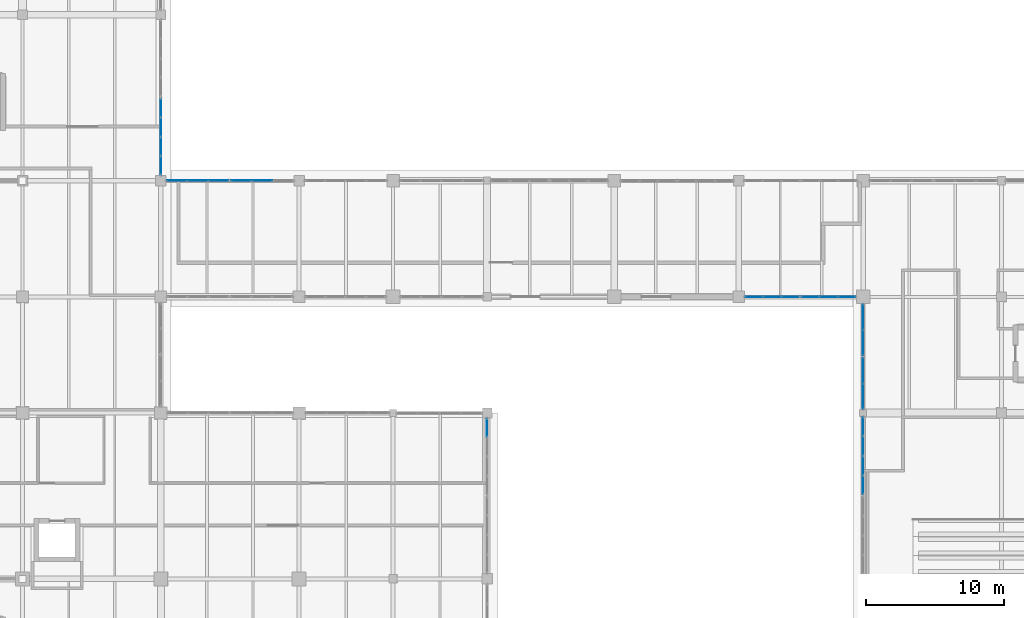
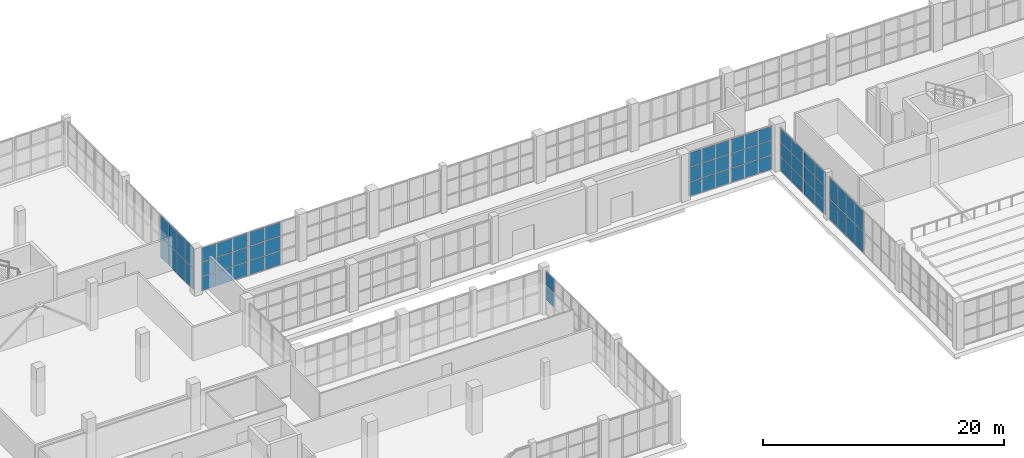
# One storey, part 88 of 121: 63 plates, 9 elements without a shape of their own.
"""IFC4 building model written with IfcOpenShell, lengths in metres."""

from ifc_helpers import new_model, si_unit, direction, frame, origin, origin_2d, place, context, subcontext, project, spatial, rectangle, extrude, material, layer, layer_set, type_object, element, aggregate, save


model = new_model("IFC4")

# Units and contexts
model_context = context("Model", 3, precision=1e-05, world=origin(), true_north=direction((0.0, 1.0)))
body_context = subcontext(model_context, "Body", "Model", "MODEL_VIEW")
ifc_project = project(units=[si_unit("LENGTHUNIT", "METRE"), si_unit("AREAUNIT", "SQUARE_METRE"), si_unit("VOLUMEUNIT", "CUBIC_METRE"), si_unit("PLANEANGLEUNIT", "RADIAN"), si_unit("MASSUNIT", "GRAM", prefix="KILO")], contexts=[model_context])

# Site, building, storey
site_placement = place(None, origin())
site = spatial("IfcSite", under=ifc_project, at=site_placement, CompositionType="ELEMENT")
building_placement = place(site_placement, origin())
building = spatial("IfcBuilding", under=site, at=building_placement, Name="Zereglee Splitstone Museum", CompositionType="ELEMENT")
storey_placement = place(building_placement, origin())
storey = spatial("IfcBuildingStorey", under=building, at=storey_placement, Name="L00", CompositionType="ELEMENT", Elevation=0.0)

# Curtain wall, plates
ifc_material_1 = material(Name="Triple-glazed low-E argon glass and bronze-anodised aluminium", Category="aluminium")
ifc_layer_1 = layer(ifc_material_1, 0.179931640625)
ifc_layer_set_1 = layer_set([ifc_layer_1], Name="Triple-glazed low-E argon glass and bronze-anodised aluminium")
curtain_wall_type_1 = type_object("IfcCurtainWallType", Name="CW-0559-442", PredefinedType="USERDEFINED", material=ifc_layer_set_1)
curtain_wall_1_placement = place(storey_placement, origin())
curtain_wall_1 = element("IfcCurtainWall", 1, at=curtain_wall_1_placement, inside=storey, type_object=curtain_wall_type_1, Name="Glazed Curtain Wall CW-0559-442 (L00)", ObjectType="GLAZED CURTAIN WALL", PredefinedType="USERDEFINED")
ifc_material_2 = material(Name="Triple low-e argon insulated safety glass", Category="glass")
ifc_layer_2 = layer(ifc_material_2, 0.035888671875)
ifc_layer_set_2 = layer_set([ifc_layer_2], Name="Triple low-e argon insulated safety glass")
plate_type = type_object("IfcPlateType", Name="CWP-01", PredefinedType="CURTAIN_PANEL", material=ifc_layer_set_2)
plate_1_placement = place(storey_placement, frame((228.800048828125, 20.527099609375, 1.505859375), z_axis=(0.0, 0.0, 1.0), x_axis=(0.0, 1.0, 0.0)))
plate_1 = element("IfcPlate", 2, at=plate_1_placement, type_object=plate_type, Name="CW-0559-442 panel 4.2", PredefinedType="CURTAIN_PANEL", context=body_context, shape_type="SweptSolid", body=[
    extrude(rectangle(XDim=1.2998046875, YDim=0.035888671875, at=origin_2d()), origin(), (0.0, 0.0, 1.0), 1.408447265625),
])
plate_2_placement = place(storey_placement, frame((228.800048828125, 20.527099609375, 2.97900390625), z_axis=(0.0, 0.0, 1.0), x_axis=(0.0, 1.0, 0.0)))
plate_2 = element("IfcPlate", 3, at=plate_2_placement, type_object=plate_type, Name="CW-0559-442 panel 4.3", PredefinedType="CURTAIN_PANEL", context=body_context, shape_type="SweptSolid", body=[
    extrude(rectangle(XDim=1.2998046875, YDim=0.035888671875, at=origin_2d()), origin(), (0.0, 0.0, 1.0), 1.375732421875),
])
aggregate(curtain_wall_1, [plate_1, plate_2])

ifc_layer_3 = layer(ifc_material_1, 0.179931640625)
ifc_layer_set_3 = layer_set([ifc_layer_3], Name="Triple-glazed low-E argon glass and bronze-anodised aluminium")
curtain_wall_type_2 = type_object("IfcCurtainWallType", Name="CW-0399-450", PredefinedType="USERDEFINED", material=ifc_layer_set_3)
curtain_wall_2_placement = place(storey_placement, origin())
curtain_wall_2 = element("IfcCurtainWall", 4, at=curtain_wall_2_placement, inside=storey, type_object=curtain_wall_type_2, Name="Glazed Curtain Wall CW-0399-450 (L00)", ObjectType="GLAZED CURTAIN WALL", PredefinedType="USERDEFINED")
plate_3_placement = place(storey_placement, frame((248.1142578125, 30.0, 0.06494140625), z_axis=(0.0, 0.0, 1.0), x_axis=(1.0, 0.0, 0.0)))
plate_3 = element("IfcPlate", 5, at=plate_3_placement, type_object=plate_type, Name="CW-0399-450 panel 1.1", PredefinedType="CURTAIN_PANEL", context=body_context, shape_type="SweptSolid", body=[
    extrude(rectangle(XDim=1.232421875, YDim=0.035888671875, at=origin_2d()), origin(), (0.0, 0.0, 1.0), 1.402587890625),
])
plate_4_placement = place(storey_placement, frame((248.1142578125, 30.0, 1.532470703125), z_axis=(0.0, 0.0, 1.0), x_axis=(1.0, 0.0, 0.0)))
plate_4 = element("IfcPlate", 6, at=plate_4_placement, type_object=plate_type, Name="CW-0399-450 panel 1.2", PredefinedType="CURTAIN_PANEL", context=body_context, shape_type="SweptSolid", body=[
    extrude(rectangle(XDim=1.232421875, YDim=0.035888671875, at=origin_2d()), origin(), (0.0, 0.0, 1.0), 1.43505859375),
])
plate_5_placement = place(storey_placement, frame((248.1142578125, 30.0, 3.0322265625), z_axis=(0.0, 0.0, 1.0), x_axis=(1.0, 0.0, 0.0)))
plate_5 = element("IfcPlate", 7, at=plate_5_placement, type_object=plate_type, Name="CW-0399-450 panel 1.3", PredefinedType="CURTAIN_PANEL", context=body_context, shape_type="SweptSolid", body=[
    extrude(rectangle(XDim=1.232421875, YDim=0.035888671875, at=origin_2d()), origin(), (0.0, 0.0, 1.0), 1.402587890625),
])
plate_6_placement = place(storey_placement, frame((249.427734375, 30.0, 0.06494140625), z_axis=(0.0, 0.0, 1.0), x_axis=(1.0, 0.0, 0.0)))
plate_6 = element("IfcPlate", 8, at=plate_6_placement, type_object=plate_type, Name="CW-0399-450 panel 2.1", PredefinedType="CURTAIN_PANEL", context=body_context, shape_type="SweptSolid", body=[
    extrude(rectangle(XDim=1.264892578125, YDim=0.035888671875, at=origin_2d()), origin(), (0.0, 0.0, 1.0), 1.402587890625),
])
plate_7_placement = place(storey_placement, frame((249.427734375, 30.0, 1.532470703125), z_axis=(0.0, 0.0, 1.0), x_axis=(1.0, 0.0, 0.0)))
plate_7 = element("IfcPlate", 9, at=plate_7_placement, type_object=plate_type, Name="CW-0399-450 panel 2.2", PredefinedType="CURTAIN_PANEL", context=body_context, shape_type="SweptSolid", body=[
    extrude(rectangle(XDim=1.264892578125, YDim=0.035888671875, at=origin_2d()), origin(), (0.0, 0.0, 1.0), 1.43505859375),
])
plate_8_placement = place(storey_placement, frame((249.427734375, 30.0, 3.0322265625), z_axis=(0.0, 0.0, 1.0), x_axis=(1.0, 0.0, 0.0)))
plate_8 = element("IfcPlate", 10, at=plate_8_placement, type_object=plate_type, Name="CW-0399-450 panel 2.3", PredefinedType="CURTAIN_PANEL", context=body_context, shape_type="SweptSolid", body=[
    extrude(rectangle(XDim=1.264892578125, YDim=0.035888671875, at=origin_2d()), origin(), (0.0, 0.0, 1.0), 1.402587890625),
])
plate_9_placement = place(storey_placement, frame((250.741455078125, 30.0, 0.06494140625), z_axis=(0.0, 0.0, 1.0), x_axis=(1.0, 0.0, 0.0)))
plate_9 = element("IfcPlate", 11, at=plate_9_placement, type_object=plate_type, Name="CW-0399-450 panel 3.1", PredefinedType="CURTAIN_PANEL", context=body_context, shape_type="SweptSolid", body=[
    extrude(rectangle(XDim=1.232421875, YDim=0.035888671875, at=origin_2d()), origin(), (0.0, 0.0, 1.0), 1.402587890625),
])
plate_10_placement = place(storey_placement, frame((250.741455078125, 30.0, 1.532470703125), z_axis=(0.0, 0.0, 1.0), x_axis=(1.0, 0.0, 0.0)))
plate_10 = element("IfcPlate", 12, at=plate_10_placement, type_object=plate_type, Name="CW-0399-450 panel 3.2", PredefinedType="CURTAIN_PANEL", context=body_context, shape_type="SweptSolid", body=[
    extrude(rectangle(XDim=1.232421875, YDim=0.035888671875, at=origin_2d()), origin(), (0.0, 0.0, 1.0), 1.43505859375),
])
plate_11_placement = place(storey_placement, frame((250.741455078125, 30.0, 3.0322265625), z_axis=(0.0, 0.0, 1.0), x_axis=(1.0, 0.0, 0.0)))
plate_11 = element("IfcPlate", 13, at=plate_11_placement, type_object=plate_type, Name="CW-0399-450 panel 3.3", PredefinedType="CURTAIN_PANEL", context=body_context, shape_type="SweptSolid", body=[
    extrude(rectangle(XDim=1.232421875, YDim=0.035888671875, at=origin_2d()), origin(), (0.0, 0.0, 1.0), 1.402587890625),
])
aggregate(curtain_wall_2, [plate_3, plate_4, plate_5, plate_6, plate_7, plate_8, plate_9, plate_10, plate_11])

ifc_layer_4 = layer(ifc_material_1, 0.179931640625)
ifc_layer_set_4 = layer_set([ifc_layer_4], Name="Triple-glazed low-E argon glass and bronze-anodised aluminium")
curtain_wall_type_3 = type_object("IfcCurtainWallType", Name="CW-0399-448", PredefinedType="USERDEFINED", material=ifc_layer_set_4)
curtain_wall_3_placement = place(storey_placement, origin())
curtain_wall_3 = element("IfcCurtainWall", 14, at=curtain_wall_3_placement, inside=storey, type_object=curtain_wall_type_3, Name="Glazed Curtain Wall CW-0399-448 (L00)", ObjectType="GLAZED CURTAIN WALL", PredefinedType="USERDEFINED")
plate_12_placement = place(storey_placement, frame((252.18359375, 30.0, 0.06494140625), z_axis=(0.0, 0.0, 1.0), x_axis=(1.0, 0.0, 0.0)))
plate_12 = element("IfcPlate", 15, at=plate_12_placement, type_object=plate_type, Name="CW-0399-448 panel 1.1", PredefinedType="CURTAIN_PANEL", context=body_context, shape_type="SweptSolid", body=[
    extrude(rectangle(XDim=1.232421875, YDim=0.035888671875, at=origin_2d()), origin(), (0.0, 0.0, 1.0), 1.395751953125),
])
plate_13_placement = place(storey_placement, frame((252.18359375, 30.0, 1.52587890625), z_axis=(0.0, 0.0, 1.0), x_axis=(1.0, 0.0, 0.0)))
plate_13 = element("IfcPlate", 16, at=plate_13_placement, type_object=plate_type, Name="CW-0399-448 panel 1.2", PredefinedType="CURTAIN_PANEL", context=body_context, shape_type="SweptSolid", body=[
    extrude(rectangle(XDim=1.232421875, YDim=0.035888671875, at=origin_2d()), origin(), (0.0, 0.0, 1.0), 1.428466796875),
])
plate_14_placement = place(storey_placement, frame((252.18359375, 30.0, 3.01904296875), z_axis=(0.0, 0.0, 1.0), x_axis=(1.0, 0.0, 0.0)))
plate_14 = element("IfcPlate", 17, at=plate_14_placement, type_object=plate_type, Name="CW-0399-448 panel 1.3", PredefinedType="CURTAIN_PANEL", context=body_context, shape_type="SweptSolid", body=[
    extrude(rectangle(XDim=1.232421875, YDim=0.035888671875, at=origin_2d()), origin(), (0.0, 0.0, 1.0), 1.395751953125),
])
plate_15_placement = place(storey_placement, frame((253.497314453125, 30.0, 0.06494140625), z_axis=(0.0, 0.0, 1.0), x_axis=(1.0, 0.0, 0.0)))
plate_15 = element("IfcPlate", 18, at=plate_15_placement, type_object=plate_type, Name="CW-0399-448 panel 2.1", PredefinedType="CURTAIN_PANEL", context=body_context, shape_type="SweptSolid", body=[
    extrude(rectangle(XDim=1.264892578125, YDim=0.035888671875, at=origin_2d()), origin(), (0.0, 0.0, 1.0), 1.395751953125),
])
plate_16_placement = place(storey_placement, frame((253.497314453125, 30.0, 1.52587890625), z_axis=(0.0, 0.0, 1.0), x_axis=(1.0, 0.0, 0.0)))
plate_16 = element("IfcPlate", 19, at=plate_16_placement, type_object=plate_type, Name="CW-0399-448 panel 2.2", PredefinedType="CURTAIN_PANEL", context=body_context, shape_type="SweptSolid", body=[
    extrude(rectangle(XDim=1.264892578125, YDim=0.035888671875, at=origin_2d()), origin(), (0.0, 0.0, 1.0), 1.428466796875),
])
plate_17_placement = place(storey_placement, frame((253.497314453125, 30.0, 3.01904296875), z_axis=(0.0, 0.0, 1.0), x_axis=(1.0, 0.0, 0.0)))
plate_17 = element("IfcPlate", 20, at=plate_17_placement, type_object=plate_type, Name="CW-0399-448 panel 2.3", PredefinedType="CURTAIN_PANEL", context=body_context, shape_type="SweptSolid", body=[
    extrude(rectangle(XDim=1.264892578125, YDim=0.035888671875, at=origin_2d()), origin(), (0.0, 0.0, 1.0), 1.395751953125),
])
plate_18_placement = place(storey_placement, frame((254.810791015625, 30.0, 0.06494140625), z_axis=(0.0, 0.0, 1.0), x_axis=(1.0, 0.0, 0.0)))
plate_18 = element("IfcPlate", 21, at=plate_18_placement, type_object=plate_type, Name="CW-0399-448 panel 3.1", PredefinedType="CURTAIN_PANEL", context=body_context, shape_type="SweptSolid", body=[
    extrude(rectangle(XDim=1.232421875, YDim=0.035888671875, at=origin_2d()), origin(), (0.0, 0.0, 1.0), 1.395751953125),
])
plate_19_placement = place(storey_placement, frame((254.810791015625, 30.0, 1.52587890625), z_axis=(0.0, 0.0, 1.0), x_axis=(1.0, 0.0, 0.0)))
plate_19 = element("IfcPlate", 22, at=plate_19_placement, type_object=plate_type, Name="CW-0399-448 panel 3.2", PredefinedType="CURTAIN_PANEL", context=body_context, shape_type="SweptSolid", body=[
    extrude(rectangle(XDim=1.232421875, YDim=0.035888671875, at=origin_2d()), origin(), (0.0, 0.0, 1.0), 1.428466796875),
])
plate_20_placement = place(storey_placement, frame((254.810791015625, 30.0, 3.01904296875), z_axis=(0.0, 0.0, 1.0), x_axis=(1.0, 0.0, 0.0)))
plate_20 = element("IfcPlate", 23, at=plate_20_placement, type_object=plate_type, Name="CW-0399-448 panel 3.3", PredefinedType="CURTAIN_PANEL", context=body_context, shape_type="SweptSolid", body=[
    extrude(rectangle(XDim=1.232421875, YDim=0.035888671875, at=origin_2d()), origin(), (0.0, 0.0, 1.0), 1.395751953125),
])
aggregate(curtain_wall_3, [plate_12, plate_13, plate_14, plate_15, plate_16, plate_17, plate_18, plate_19, plate_20])

ifc_layer_5 = layer(ifc_material_1, 0.179931640625)
ifc_layer_set_5 = layer_set([ifc_layer_5], Name="Triple-glazed low-E argon glass and bronze-anodised aluminium")
curtain_wall_type_4 = type_object("IfcCurtainWallType", Name="CW-0378-444", PredefinedType="USERDEFINED", material=ifc_layer_set_5)
curtain_wall_4_placement = place(storey_placement, origin())
curtain_wall_4 = element("IfcCurtainWall", 24, at=curtain_wall_4_placement, inside=storey, type_object=curtain_wall_type_4, Name="Glazed Curtain Wall CW-0378-444 (L00)", ObjectType="GLAZED CURTAIN WALL", PredefinedType="USERDEFINED")
plate_21_placement = place(storey_placement, frame((256.0, 28.531494140625, 0.06494140625), z_axis=(0.0, 0.0, 1.0), x_axis=(0.0, -1.0, 0.0)))
plate_21 = element("IfcPlate", 25, at=plate_21_placement, type_object=plate_type, Name="CW-0378-444 panel 1.1", PredefinedType="CURTAIN_PANEL", context=body_context, shape_type="SweptSolid", body=[
    extrude(rectangle(XDim=1.791015625, YDim=0.035888671875, at=origin_2d()), origin(), (0.0, 0.0, 1.0), 1.382568359375),
])
plate_22_placement = place(storey_placement, frame((256.0, 28.531494140625, 1.512451171875), z_axis=(0.0, 0.0, 1.0), x_axis=(0.0, -1.0, 0.0)))
plate_22 = element("IfcPlate", 26, at=plate_22_placement, type_object=plate_type, Name="CW-0378-444 panel 1.2", PredefinedType="CURTAIN_PANEL", context=body_context, shape_type="SweptSolid", body=[
    extrude(rectangle(XDim=1.791015625, YDim=0.035888671875, at=origin_2d()), origin(), (0.0, 0.0, 1.0), 1.4150390625),
])
plate_23_placement = place(storey_placement, frame((256.0, 28.531494140625, 2.99267578125), z_axis=(0.0, 0.0, 1.0), x_axis=(0.0, -1.0, 0.0)))
plate_23 = element("IfcPlate", 27, at=plate_23_placement, type_object=plate_type, Name="CW-0378-444 panel 1.3", PredefinedType="CURTAIN_PANEL", context=body_context, shape_type="SweptSolid", body=[
    extrude(rectangle(XDim=1.791015625, YDim=0.035888671875, at=origin_2d()), origin(), (0.0, 0.0, 1.0), 1.382568359375),
])
plate_24_placement = place(storey_placement, frame((256.0, 26.675537109375, 0.06494140625), z_axis=(0.0, 0.0, 1.0), x_axis=(0.0, -1.0, 0.0)))
plate_24 = element("IfcPlate", 28, at=plate_24_placement, type_object=plate_type, Name="CW-0378-444 panel 2.1", PredefinedType="CURTAIN_PANEL", context=body_context, shape_type="SweptSolid", body=[
    extrude(rectangle(XDim=1.791015625, YDim=0.035888671875, at=origin_2d()), origin(), (0.0, 0.0, 1.0), 1.382568359375),
])
plate_25_placement = place(storey_placement, frame((256.0, 26.675537109375, 1.512451171875), z_axis=(0.0, 0.0, 1.0), x_axis=(0.0, -1.0, 0.0)))
plate_25 = element("IfcPlate", 29, at=plate_25_placement, type_object=plate_type, Name="CW-0378-444 panel 2.2", PredefinedType="CURTAIN_PANEL", context=body_context, shape_type="SweptSolid", body=[
    extrude(rectangle(XDim=1.791015625, YDim=0.035888671875, at=origin_2d()), origin(), (0.0, 0.0, 1.0), 1.4150390625),
])
plate_26_placement = place(storey_placement, frame((256.0, 26.675537109375, 2.99267578125), z_axis=(0.0, 0.0, 1.0), x_axis=(0.0, -1.0, 0.0)))
plate_26 = element("IfcPlate", 30, at=plate_26_placement, type_object=plate_type, Name="CW-0378-444 panel 2.3", PredefinedType="CURTAIN_PANEL", context=body_context, shape_type="SweptSolid", body=[
    extrude(rectangle(XDim=1.791015625, YDim=0.035888671875, at=origin_2d()), origin(), (0.0, 0.0, 1.0), 1.382568359375),
])
aggregate(curtain_wall_4, [plate_21, plate_22, plate_23, plate_24, plate_25, plate_26])

ifc_layer_6 = layer(ifc_material_1, 0.179931640625)
ifc_layer_set_6 = layer_set([ifc_layer_6], Name="Triple-glazed low-E argon glass and bronze-anodised aluminium")
curtain_wall_type_5 = type_object("IfcCurtainWallType", Name="CW-0378-442", PredefinedType="USERDEFINED", material=ifc_layer_set_6)
curtain_wall_5_placement = place(storey_placement, origin())
curtain_wall_5 = element("IfcCurtainWall", 31, at=curtain_wall_5_placement, inside=storey, type_object=curtain_wall_type_5, Name="Glazed Curtain Wall CW-0378-442 (L00)", ObjectType="GLAZED CURTAIN WALL", PredefinedType="USERDEFINED")
plate_27_placement = place(storey_placement, frame((256.0, 24.674560546875, 0.06494140625), z_axis=(0.0, 0.0, 1.0), x_axis=(0.0, -1.0, 0.0)))
plate_27 = element("IfcPlate", 32, at=plate_27_placement, type_object=plate_type, Name="CW-0378-442 panel 1.1", PredefinedType="CURTAIN_PANEL", context=body_context, shape_type="SweptSolid", body=[
    extrude(rectangle(XDim=1.791015625, YDim=0.035888671875, at=origin_2d()), origin(), (0.0, 0.0, 1.0), 1.375732421875),
])
plate_28_placement = place(storey_placement, frame((256.0, 24.674560546875, 1.505859375), z_axis=(0.0, 0.0, 1.0), x_axis=(0.0, -1.0, 0.0)))
plate_28 = element("IfcPlate", 33, at=plate_28_placement, type_object=plate_type, Name="CW-0378-442 panel 1.2", PredefinedType="CURTAIN_PANEL", context=body_context, shape_type="SweptSolid", body=[
    extrude(rectangle(XDim=1.791015625, YDim=0.035888671875, at=origin_2d()), origin(), (0.0, 0.0, 1.0), 1.408447265625),
])
plate_29_placement = place(storey_placement, frame((256.0, 24.674560546875, 2.97900390625), z_axis=(0.0, 0.0, 1.0), x_axis=(0.0, -1.0, 0.0)))
plate_29 = element("IfcPlate", 34, at=plate_29_placement, type_object=plate_type, Name="CW-0378-442 panel 1.3", PredefinedType="CURTAIN_PANEL", context=body_context, shape_type="SweptSolid", body=[
    extrude(rectangle(XDim=1.791015625, YDim=0.035888671875, at=origin_2d()), origin(), (0.0, 0.0, 1.0), 1.375732421875),
])
plate_30_placement = place(storey_placement, frame((256.0, 22.818603515625, 0.06494140625), z_axis=(0.0, 0.0, 1.0), x_axis=(0.0, -1.0, 0.0)))
plate_30 = element("IfcPlate", 35, at=plate_30_placement, type_object=plate_type, Name="CW-0378-442 panel 2.1", PredefinedType="CURTAIN_PANEL", context=body_context, shape_type="SweptSolid", body=[
    extrude(rectangle(XDim=1.791015625, YDim=0.035888671875, at=origin_2d()), origin(), (0.0, 0.0, 1.0), 1.375732421875),
])
plate_31_placement = place(storey_placement, frame((256.0, 22.818603515625, 1.505859375), z_axis=(0.0, 0.0, 1.0), x_axis=(0.0, -1.0, 0.0)))
plate_31 = element("IfcPlate", 36, at=plate_31_placement, type_object=plate_type, Name="CW-0378-442 panel 2.2", PredefinedType="CURTAIN_PANEL", context=body_context, shape_type="SweptSolid", body=[
    extrude(rectangle(XDim=1.791015625, YDim=0.035888671875, at=origin_2d()), origin(), (0.0, 0.0, 1.0), 1.408447265625),
])
plate_32_placement = place(storey_placement, frame((256.0, 22.818603515625, 2.97900390625), z_axis=(0.0, 0.0, 1.0), x_axis=(0.0, -1.0, 0.0)))
plate_32 = element("IfcPlate", 37, at=plate_32_placement, type_object=plate_type, Name="CW-0378-442 panel 2.3", PredefinedType="CURTAIN_PANEL", context=body_context, shape_type="SweptSolid", body=[
    extrude(rectangle(XDim=1.791015625, YDim=0.035888671875, at=origin_2d()), origin(), (0.0, 0.0, 1.0), 1.375732421875),
])
aggregate(curtain_wall_5, [plate_27, plate_28, plate_29, plate_30, plate_31, plate_32])

ifc_layer_7 = layer(ifc_material_1, 0.179931640625)
ifc_layer_set_7 = layer_set([ifc_layer_7], Name="Triple-glazed low-E argon glass and bronze-anodised aluminium")
curtain_wall_type_6 = type_object("IfcCurtainWallType", Name="CW-0568-438", PredefinedType="USERDEFINED", material=ifc_layer_set_7)
curtain_wall_6_placement = place(storey_placement, origin())
curtain_wall_6 = element("IfcCurtainWall", 38, at=curtain_wall_6_placement, inside=storey, type_object=curtain_wall_type_6, Name="Glazed Curtain Wall CW-0568-438 (L00)", ObjectType="GLAZED CURTAIN WALL", PredefinedType="USERDEFINED")
plate_33_placement = place(storey_placement, frame((256.0, 20.6162109375, 0.06494140625), z_axis=(0.0, 0.0, 1.0), x_axis=(0.0, -1.0, 0.0)))
plate_33 = element("IfcPlate", 39, at=plate_33_placement, type_object=plate_type, Name="CW-0568-438 panel 1.1", PredefinedType="CURTAIN_PANEL", context=body_context, shape_type="SweptSolid", body=[
    extrude(rectangle(XDim=1.32177734375, YDim=0.035888671875, at=origin_2d()), origin(), (0.0, 0.0, 1.0), 2.092529296875),
])
plate_34_placement = place(storey_placement, frame((256.0, 20.6162109375, 2.22265625), z_axis=(0.0, 0.0, 1.0), x_axis=(0.0, -1.0, 0.0)))
plate_34 = element("IfcPlate", 40, at=plate_34_placement, type_object=plate_type, Name="CW-0568-438 panel 1.2", PredefinedType="CURTAIN_PANEL", context=body_context, shape_type="SweptSolid", body=[
    extrude(rectangle(XDim=1.32177734375, YDim=0.035888671875, at=origin_2d()), origin(), (0.0, 0.0, 1.0), 2.092529296875),
])
plate_35_placement = place(storey_placement, frame((256.0, 19.213134765625, 0.06494140625), z_axis=(0.0, 0.0, 1.0), x_axis=(0.0, -1.0, 0.0)))
plate_35 = element("IfcPlate", 41, at=plate_35_placement, type_object=plate_type, Name="CW-0568-438 panel 2.1", PredefinedType="CURTAIN_PANEL", context=body_context, shape_type="SweptSolid", body=[
    extrude(rectangle(XDim=1.354248046875, YDim=0.035888671875, at=origin_2d()), origin(), (0.0, 0.0, 1.0), 2.092529296875),
])
plate_36_placement = place(storey_placement, frame((256.0, 19.213134765625, 2.22265625), z_axis=(0.0, 0.0, 1.0), x_axis=(0.0, -1.0, 0.0)))
plate_36 = element("IfcPlate", 42, at=plate_36_placement, type_object=plate_type, Name="CW-0568-438 panel 2.2", PredefinedType="CURTAIN_PANEL", context=body_context, shape_type="SweptSolid", body=[
    extrude(rectangle(XDim=1.354248046875, YDim=0.035888671875, at=origin_2d()), origin(), (0.0, 0.0, 1.0), 2.092529296875),
])
plate_37_placement = place(storey_placement, frame((256.0, 17.7939453125, 0.06494140625), z_axis=(0.0, 0.0, 1.0), x_axis=(0.0, -1.0, 0.0)))
plate_37 = element("IfcPlate", 43, at=plate_37_placement, type_object=plate_type, Name="CW-0568-438 panel 3.1", PredefinedType="CURTAIN_PANEL", context=body_context, shape_type="SweptSolid", body=[
    extrude(rectangle(XDim=1.354248046875, YDim=0.035888671875, at=origin_2d()), origin(), (0.0, 0.0, 1.0), 2.092529296875),
])
plate_38_placement = place(storey_placement, frame((256.0, 17.7939453125, 2.22265625), z_axis=(0.0, 0.0, 1.0), x_axis=(0.0, -1.0, 0.0)))
plate_38 = element("IfcPlate", 44, at=plate_38_placement, type_object=plate_type, Name="CW-0568-438 panel 3.2", PredefinedType="CURTAIN_PANEL", context=body_context, shape_type="SweptSolid", body=[
    extrude(rectangle(XDim=1.354248046875, YDim=0.035888671875, at=origin_2d()), origin(), (0.0, 0.0, 1.0), 2.092529296875),
])
plate_39_placement = place(storey_placement, frame((256.0, 16.390869140625, 0.06494140625), z_axis=(0.0, 0.0, 1.0), x_axis=(0.0, -1.0, 0.0)))
plate_39 = element("IfcPlate", 45, at=plate_39_placement, type_object=plate_type, Name="CW-0568-438 panel 4.1", PredefinedType="CURTAIN_PANEL", context=body_context, shape_type="SweptSolid", body=[
    extrude(rectangle(XDim=1.32177734375, YDim=0.035888671875, at=origin_2d()), origin(), (0.0, 0.0, 1.0), 2.092529296875),
])
plate_40_placement = place(storey_placement, frame((256.0, 16.390869140625, 2.22265625), z_axis=(0.0, 0.0, 1.0), x_axis=(0.0, -1.0, 0.0)))
plate_40 = element("IfcPlate", 46, at=plate_40_placement, type_object=plate_type, Name="CW-0568-438 panel 4.2", PredefinedType="CURTAIN_PANEL", context=body_context, shape_type="SweptSolid", body=[
    extrude(rectangle(XDim=1.32177734375, YDim=0.035888671875, at=origin_2d()), origin(), (0.0, 0.0, 1.0), 2.092529296875),
])
aggregate(curtain_wall_6, [plate_33, plate_34, plate_35, plate_36, plate_37, plate_38, plate_39, plate_40])

ifc_layer_8 = layer(ifc_material_1, 0.179931640625)
ifc_layer_set_8 = layer_set([ifc_layer_8], Name="Triple-glazed low-E argon glass and bronze-anodised aluminium")
curtain_wall_type_7 = type_object("IfcCurtainWallType", Name="CW-0458-444", PredefinedType="USERDEFINED", material=ifc_layer_set_8)
curtain_wall_7_placement = place(storey_placement, origin())
curtain_wall_7 = element("IfcCurtainWall", 47, at=curtain_wall_7_placement, inside=storey, type_object=curtain_wall_type_7, Name="Glazed Curtain Wall CW-0458-444 (L00)", ObjectType="GLAZED CURTAIN WALL", PredefinedType="USERDEFINED")
plate_41_placement = place(storey_placement, frame((212.528564453125, 38.39990234375, 0.06494140625), z_axis=(0.0, 0.0, 1.0), x_axis=(-1.0, 0.0, 0.0)))
plate_41 = element("IfcPlate", 48, at=plate_41_placement, type_object=plate_type, Name="CW-0458-444 panel 2.1", PredefinedType="CURTAIN_PANEL", context=body_context, shape_type="SweptSolid", body=[
    extrude(rectangle(XDim=1.460693359375, YDim=0.035888671875, at=origin_2d()), origin(), (0.0, 0.0, 1.0), 1.382568359375),
])
plate_42_placement = place(storey_placement, frame((212.528564453125, 38.39990234375, 1.512451171875), z_axis=(0.0, 0.0, 1.0), x_axis=(-1.0, 0.0, 0.0)))
plate_42 = element("IfcPlate", 49, at=plate_42_placement, type_object=plate_type, Name="CW-0458-444 panel 2.2", PredefinedType="CURTAIN_PANEL", context=body_context, shape_type="SweptSolid", body=[
    extrude(rectangle(XDim=1.460693359375, YDim=0.035888671875, at=origin_2d()), origin(), (0.0, 0.0, 1.0), 1.4150390625),
])
plate_43_placement = place(storey_placement, frame((212.528564453125, 38.39990234375, 2.99267578125), z_axis=(0.0, 0.0, 1.0), x_axis=(-1.0, 0.0, 0.0)))
plate_43 = element("IfcPlate", 50, at=plate_43_placement, type_object=plate_type, Name="CW-0458-444 panel 2.3", PredefinedType="CURTAIN_PANEL", context=body_context, shape_type="SweptSolid", body=[
    extrude(rectangle(XDim=1.460693359375, YDim=0.035888671875, at=origin_2d()), origin(), (0.0, 0.0, 1.0), 1.382568359375),
])
plate_44_placement = place(storey_placement, frame((211.01904296875, 38.39990234375, 0.06494140625), z_axis=(0.0, 0.0, 1.0), x_axis=(-1.0, 0.0, 0.0)))
plate_44 = element("IfcPlate", 51, at=plate_44_placement, type_object=plate_type, Name="CW-0458-444 panel 3.1", PredefinedType="CURTAIN_PANEL", context=body_context, shape_type="SweptSolid", body=[
    extrude(rectangle(XDim=1.42822265625, YDim=0.035888671875, at=origin_2d()), origin(), (0.0, 0.0, 1.0), 1.382568359375),
])
plate_45_placement = place(storey_placement, frame((211.01904296875, 38.39990234375, 1.512451171875), z_axis=(0.0, 0.0, 1.0), x_axis=(-1.0, 0.0, 0.0)))
plate_45 = element("IfcPlate", 52, at=plate_45_placement, type_object=plate_type, Name="CW-0458-444 panel 3.2", PredefinedType="CURTAIN_PANEL", context=body_context, shape_type="SweptSolid", body=[
    extrude(rectangle(XDim=1.42822265625, YDim=0.035888671875, at=origin_2d()), origin(), (0.0, 0.0, 1.0), 1.4150390625),
])
plate_46_placement = place(storey_placement, frame((211.01904296875, 38.39990234375, 2.99267578125), z_axis=(0.0, 0.0, 1.0), x_axis=(-1.0, 0.0, 0.0)))
plate_46 = element("IfcPlate", 53, at=plate_46_placement, type_object=plate_type, Name="CW-0458-444 panel 3.3", PredefinedType="CURTAIN_PANEL", context=body_context, shape_type="SweptSolid", body=[
    extrude(rectangle(XDim=1.42822265625, YDim=0.035888671875, at=origin_2d()), origin(), (0.0, 0.0, 1.0), 1.382568359375),
])
aggregate(curtain_wall_7, [plate_41, plate_42, plate_43, plate_44, plate_45, plate_46])

ifc_layer_9 = layer(ifc_material_1, 0.179931640625)
ifc_layer_set_9 = layer_set([ifc_layer_9], Name="Triple-glazed low-E argon glass and bronze-anodised aluminium")
curtain_wall_type_8 = type_object("IfcCurtainWallType", Name="CW-0458-442", PredefinedType="USERDEFINED", material=ifc_layer_set_9)
curtain_wall_8_placement = place(storey_placement, origin())
curtain_wall_8 = element("IfcCurtainWall", 54, at=curtain_wall_8_placement, inside=storey, type_object=curtain_wall_type_8, Name="Glazed Curtain Wall CW-0458-442 (L00)", ObjectType="GLAZED CURTAIN WALL", PredefinedType="USERDEFINED")
plate_47_placement = place(storey_placement, frame((209.380859375, 38.39990234375, 0.06494140625), z_axis=(0.0, 0.0, 1.0), x_axis=(-1.0, 0.0, 0.0)))
plate_47 = element("IfcPlate", 55, at=plate_47_placement, type_object=plate_type, Name="CW-0458-442 panel 1.1", PredefinedType="CURTAIN_PANEL", context=body_context, shape_type="SweptSolid", body=[
    extrude(rectangle(XDim=1.42822265625, YDim=0.035888671875, at=origin_2d()), origin(), (0.0, 0.0, 1.0), 1.375732421875),
])
plate_48_placement = place(storey_placement, frame((209.380859375, 38.39990234375, 1.505859375), z_axis=(0.0, 0.0, 1.0), x_axis=(-1.0, 0.0, 0.0)))
plate_48 = element("IfcPlate", 56, at=plate_48_placement, type_object=plate_type, Name="CW-0458-442 panel 1.2", PredefinedType="CURTAIN_PANEL", context=body_context, shape_type="SweptSolid", body=[
    extrude(rectangle(XDim=1.42822265625, YDim=0.035888671875, at=origin_2d()), origin(), (0.0, 0.0, 1.0), 1.408447265625),
])
plate_49_placement = place(storey_placement, frame((209.380859375, 38.39990234375, 2.97900390625), z_axis=(0.0, 0.0, 1.0), x_axis=(-1.0, 0.0, 0.0)))
plate_49 = element("IfcPlate", 57, at=plate_49_placement, type_object=plate_type, Name="CW-0458-442 panel 1.3", PredefinedType="CURTAIN_PANEL", context=body_context, shape_type="SweptSolid", body=[
    extrude(rectangle(XDim=1.42822265625, YDim=0.035888671875, at=origin_2d()), origin(), (0.0, 0.0, 1.0), 1.375732421875),
])
plate_50_placement = place(storey_placement, frame((207.87158203125, 38.39990234375, 0.06494140625), z_axis=(0.0, 0.0, 1.0), x_axis=(-1.0, 0.0, 0.0)))
plate_50 = element("IfcPlate", 58, at=plate_50_placement, type_object=plate_type, Name="CW-0458-442 panel 2.1", PredefinedType="CURTAIN_PANEL", context=body_context, shape_type="SweptSolid", body=[
    extrude(rectangle(XDim=1.460693359375, YDim=0.035888671875, at=origin_2d()), origin(), (0.0, 0.0, 1.0), 1.375732421875),
])
plate_51_placement = place(storey_placement, frame((207.87158203125, 38.39990234375, 1.505859375), z_axis=(0.0, 0.0, 1.0), x_axis=(-1.0, 0.0, 0.0)))
plate_51 = element("IfcPlate", 59, at=plate_51_placement, type_object=plate_type, Name="CW-0458-442 panel 2.2", PredefinedType="CURTAIN_PANEL", context=body_context, shape_type="SweptSolid", body=[
    extrude(rectangle(XDim=1.460693359375, YDim=0.035888671875, at=origin_2d()), origin(), (0.0, 0.0, 1.0), 1.408447265625),
])
plate_52_placement = place(storey_placement, frame((207.87158203125, 38.39990234375, 2.97900390625), z_axis=(0.0, 0.0, 1.0), x_axis=(-1.0, 0.0, 0.0)))
plate_52 = element("IfcPlate", 60, at=plate_52_placement, type_object=plate_type, Name="CW-0458-442 panel 2.3", PredefinedType="CURTAIN_PANEL", context=body_context, shape_type="SweptSolid", body=[
    extrude(rectangle(XDim=1.460693359375, YDim=0.035888671875, at=origin_2d()), origin(), (0.0, 0.0, 1.0), 1.375732421875),
])
plate_53_placement = place(storey_placement, frame((206.362060546875, 38.39990234375, 0.06494140625), z_axis=(0.0, 0.0, 1.0), x_axis=(-1.0, 0.0, 0.0)))
plate_53 = element("IfcPlate", 61, at=plate_53_placement, type_object=plate_type, Name="CW-0458-442 panel 3.1", PredefinedType="CURTAIN_PANEL", context=body_context, shape_type="SweptSolid", body=[
    extrude(rectangle(XDim=1.42822265625, YDim=0.035888671875, at=origin_2d()), origin(), (0.0, 0.0, 1.0), 1.375732421875),
])
plate_54_placement = place(storey_placement, frame((206.362060546875, 38.39990234375, 1.505859375), z_axis=(0.0, 0.0, 1.0), x_axis=(-1.0, 0.0, 0.0)))
plate_54 = element("IfcPlate", 62, at=plate_54_placement, type_object=plate_type, Name="CW-0458-442 panel 3.2", PredefinedType="CURTAIN_PANEL", context=body_context, shape_type="SweptSolid", body=[
    extrude(rectangle(XDim=1.42822265625, YDim=0.035888671875, at=origin_2d()), origin(), (0.0, 0.0, 1.0), 1.408447265625),
])
plate_55_placement = place(storey_placement, frame((206.362060546875, 38.39990234375, 2.97900390625), z_axis=(0.0, 0.0, 1.0), x_axis=(-1.0, 0.0, 0.0)))
plate_55 = element("IfcPlate", 63, at=plate_55_placement, type_object=plate_type, Name="CW-0458-442 panel 3.3", PredefinedType="CURTAIN_PANEL", context=body_context, shape_type="SweptSolid", body=[
    extrude(rectangle(XDim=1.42822265625, YDim=0.035888671875, at=origin_2d()), origin(), (0.0, 0.0, 1.0), 1.375732421875),
])
aggregate(curtain_wall_8, [plate_47, plate_48, plate_49, plate_50, plate_51, plate_52, plate_53, plate_54, plate_55])

ifc_layer_10 = layer(ifc_material_1, 0.179931640625)
ifc_layer_set_10 = layer_set([ifc_layer_10], Name="Triple-glazed low-E argon glass and bronze-anodised aluminium")
curtain_wall_type_9 = type_object("IfcCurtainWallType", Name="CW-0559-438", PredefinedType="USERDEFINED", material=ifc_layer_set_10)
curtain_wall_9_placement = place(storey_placement, origin())
curtain_wall_9 = element("IfcCurtainWall", 64, at=curtain_wall_9_placement, inside=storey, type_object=curtain_wall_type_9, Name="Glazed Curtain Wall CW-0559-438 (L00)", ObjectType="GLAZED CURTAIN WALL", PredefinedType="USERDEFINED")
plate_56_placement = place(storey_placement, frame((205.199951171875, 39.498046875, 0.06494140625), z_axis=(0.0, 0.0, 1.0), x_axis=(0.0, 1.0, 0.0)))
plate_56 = element("IfcPlate", 65, at=plate_56_placement, type_object=plate_type, Name="CW-0559-438 panel 1.1", PredefinedType="CURTAIN_PANEL", context=body_context, shape_type="SweptSolid", body=[
    extrude(rectangle(XDim=1.2998046875, YDim=0.035888671875, at=origin_2d()), origin(), (0.0, 0.0, 1.0), 2.092529296875),
])
plate_57_placement = place(storey_placement, frame((205.199951171875, 39.498046875, 2.22265625), z_axis=(0.0, 0.0, 1.0), x_axis=(0.0, 1.0, 0.0)))
plate_57 = element("IfcPlate", 66, at=plate_57_placement, type_object=plate_type, Name="CW-0559-438 panel 1.2", PredefinedType="CURTAIN_PANEL", context=body_context, shape_type="SweptSolid", body=[
    extrude(rectangle(XDim=1.2998046875, YDim=0.035888671875, at=origin_2d()), origin(), (0.0, 0.0, 1.0), 2.092529296875),
])
plate_58_placement = place(storey_placement, frame((205.199951171875, 40.879150390625, 0.06494140625), z_axis=(0.0, 0.0, 1.0), x_axis=(0.0, 1.0, 0.0)))
plate_58 = element("IfcPlate", 67, at=plate_58_placement, type_object=plate_type, Name="CW-0559-438 panel 2.1", PredefinedType="CURTAIN_PANEL", context=body_context, shape_type="SweptSolid", body=[
    extrude(rectangle(XDim=1.332275390625, YDim=0.035888671875, at=origin_2d()), origin(), (0.0, 0.0, 1.0), 2.092529296875),
])
plate_59_placement = place(storey_placement, frame((205.199951171875, 40.879150390625, 2.22265625), z_axis=(0.0, 0.0, 1.0), x_axis=(0.0, 1.0, 0.0)))
plate_59 = element("IfcPlate", 68, at=plate_59_placement, type_object=plate_type, Name="CW-0559-438 panel 2.2", PredefinedType="CURTAIN_PANEL", context=body_context, shape_type="SweptSolid", body=[
    extrude(rectangle(XDim=1.332275390625, YDim=0.035888671875, at=origin_2d()), origin(), (0.0, 0.0, 1.0), 2.092529296875),
])
plate_60_placement = place(storey_placement, frame((205.199951171875, 42.2763671875, 0.06494140625), z_axis=(0.0, 0.0, 1.0), x_axis=(0.0, 1.0, 0.0)))
plate_60 = element("IfcPlate", 69, at=plate_60_placement, type_object=plate_type, Name="CW-0559-438 panel 3.1", PredefinedType="CURTAIN_PANEL", context=body_context, shape_type="SweptSolid", body=[
    extrude(rectangle(XDim=1.332275390625, YDim=0.035888671875, at=origin_2d()), origin(), (0.0, 0.0, 1.0), 2.092529296875),
])
plate_61_placement = place(storey_placement, frame((205.199951171875, 42.2763671875, 2.22265625), z_axis=(0.0, 0.0, 1.0), x_axis=(0.0, 1.0, 0.0)))
plate_61 = element("IfcPlate", 70, at=plate_61_placement, type_object=plate_type, Name="CW-0559-438 panel 3.2", PredefinedType="CURTAIN_PANEL", context=body_context, shape_type="SweptSolid", body=[
    extrude(rectangle(XDim=1.332275390625, YDim=0.035888671875, at=origin_2d()), origin(), (0.0, 0.0, 1.0), 2.092529296875),
])
plate_62_placement = place(storey_placement, frame((205.199951171875, 43.657470703125, 0.06494140625), z_axis=(0.0, 0.0, 1.0), x_axis=(0.0, 1.0, 0.0)))
plate_62 = element("IfcPlate", 71, at=plate_62_placement, type_object=plate_type, Name="CW-0559-438 panel 4.1", PredefinedType="CURTAIN_PANEL", context=body_context, shape_type="SweptSolid", body=[
    extrude(rectangle(XDim=1.2998046875, YDim=0.035888671875, at=origin_2d()), origin(), (0.0, 0.0, 1.0), 2.092529296875),
])
plate_63_placement = place(storey_placement, frame((205.199951171875, 43.657470703125, 2.22265625), z_axis=(0.0, 0.0, 1.0), x_axis=(0.0, 1.0, 0.0)))
plate_63 = element("IfcPlate", 72, at=plate_63_placement, type_object=plate_type, Name="CW-0559-438 panel 4.2", PredefinedType="CURTAIN_PANEL", context=body_context, shape_type="SweptSolid", body=[
    extrude(rectangle(XDim=1.2998046875, YDim=0.035888671875, at=origin_2d()), origin(), (0.0, 0.0, 1.0), 2.092529296875),
])
aggregate(curtain_wall_9, [plate_56, plate_57, plate_58, plate_59, plate_60, plate_61, plate_62, plate_63])

save(model, "model.ifc")
